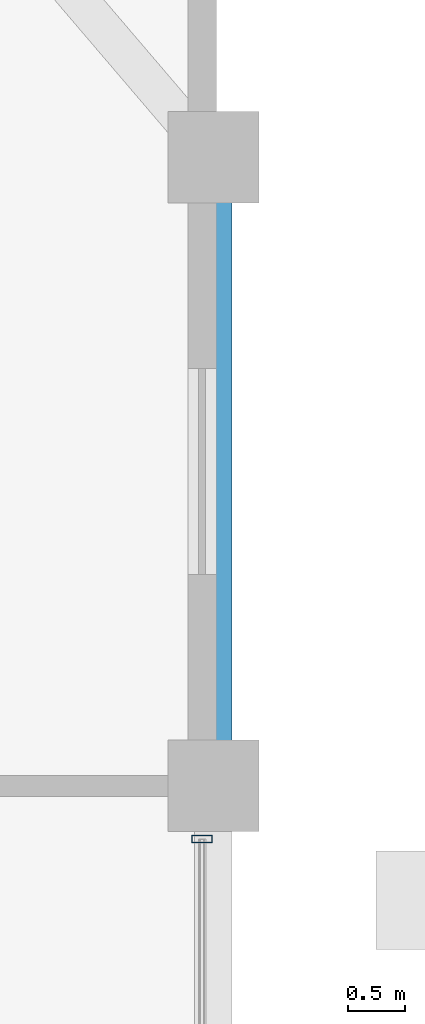
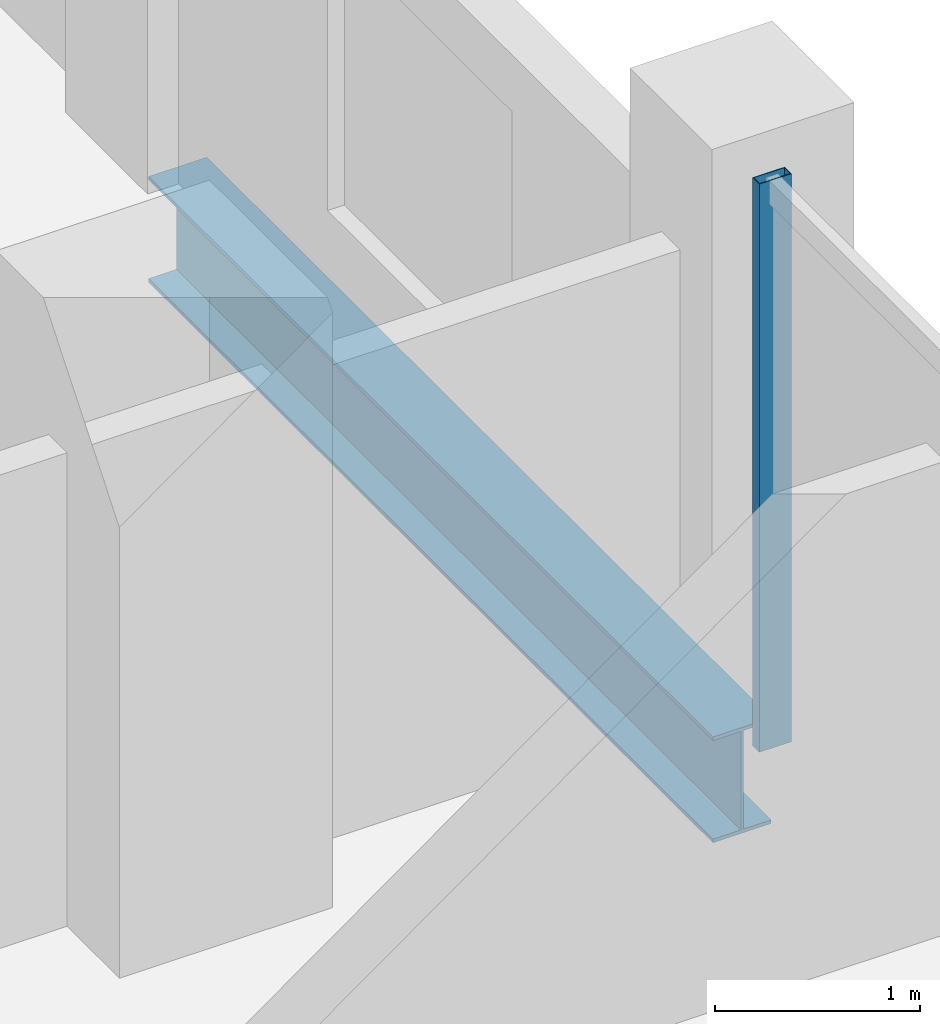
# One storey, part 12 of 20: 1 beam, 1 member, 1 element without a shape of its own.
"""IFC4 building model written with IfcOpenShell, lengths in metres."""

from ifc_helpers import new_model, si_unit, direction, frame, origin, origin_2d, place, context, subcontext, project, spatial, hollow_rectangle, i_section, extrude, material, layer, layer_set, material_profile, profile_set, type_object, element, aggregate, save


model = new_model("IFC4")

# Units and contexts
model_context = context("Model", 3, precision=1e-05, world=origin(), true_north=direction((0.0, 1.0)))
body_context = subcontext(model_context, "Body", "Model", "MODEL_VIEW")
ifc_project = project(units=[si_unit("LENGTHUNIT", "METRE"), si_unit("AREAUNIT", "SQUARE_METRE"), si_unit("VOLUMEUNIT", "CUBIC_METRE"), si_unit("PLANEANGLEUNIT", "RADIAN"), si_unit("MASSUNIT", "GRAM", prefix="KILO")], contexts=[model_context])

# Site, building, storey
site_placement = place(None, origin())
site = spatial("IfcSite", under=ifc_project, at=site_placement, CompositionType="ELEMENT")
building_placement = place(site_placement, origin())
building = spatial("IfcBuilding", under=site, at=building_placement, Name="Barlavira Tower and Art Museum", CompositionType="ELEMENT")
storey_placement = place(building_placement, frame((0.0, 0.0, 136.800048828125)))
storey = spatial("IfcBuildingStorey", under=building, at=storey_placement, Name="L34", CompositionType="ELEMENT", Elevation=136.800048828125)

# Curtain wall, member
ifc_material_1 = material(Name="Low-iron coastal laminated glass", Category="glass")
ifc_layer = layer(ifc_material_1, 0.18994140625, Name="Low-iron coastal laminated glass")
ifc_layer_set = layer_set([ifc_layer], Name="Low-iron coastal laminated glass")
curtain_wall_type = type_object("IfcCurtainWallType", Name="Pale-Metal Unitised Curtain Wall Zone 2", PredefinedType="NOTDEFINED", material=ifc_layer_set)
curtain_wall_placement = place(storey_placement, origin())
curtain_wall = element("IfcCurtainWall", 1, at=curtain_wall_placement, inside=storey, type_object=curtain_wall_type, Name="L34 Curtain Wall CW2-L34-E-B3", PredefinedType="NOTDEFINED")
ifc_material_2 = material(Name="Pale anodised aluminium", Category="aluminium")
ifc_material_profile_1 = material_profile(ifc_material_2, hollow_rectangle(XDim=0.06494140625, YDim=0.179931640625, WallThickness=0.00390625, at=origin_2d()), Name="ALU-MULL 65x180x4")
ifc_profile_set_1 = profile_set([ifc_material_profile_1], Name="Pale anodised aluminium")
member_type = type_object("IfcMemberType", Name="Curtain Wall Pale-Metal Mullion 65x180", PredefinedType="MULLION", material=ifc_profile_set_1)
member_placement = place(storey_placement, frame((20.14990234375, 7.034912109375, 0.0), z_axis=(0.0, 0.0, 1.0), x_axis=(0.0, 1.0, 0.0)))
member = element("IfcMember", 2, at=member_placement, type_object=member_type, Name="CW2-L34-E-B3 Mullion 3", PredefinedType="MULLION", context=body_context, shape_type="SweptSolid", body=[
    extrude(hollow_rectangle(XDim=0.06494140625, YDim=0.179931640625, WallThickness=0.00390625, at=origin_2d()), origin(), (0.0, 0.0, 1.0), 3.3798828125),
])
aggregate(curtain_wall, [member])

# Beam
ifc_material_3 = material(Name="Steel S355", Category="steel")
ifc_material_profile_2 = material_profile(ifc_material_3, i_section(OverallWidth=0.327880859375, OverallDepth=0.62890625, WebThickness=0.013916015625, FlangeThickness=0.021484375, at=origin_2d()), Name="W610x174.0")
ifc_profile_set_2 = profile_set([ifc_material_profile_2], Name="Steel S355")
beam_type = type_object("IfcBeamType", Name="Perimeter Spandrel Edge Beam W610x174 Steel S355", PredefinedType="SPANDREL", material=ifc_profile_set_2)
beam_placement = place(storey_placement, frame((20.25, 7.5, -0.53466796875), z_axis=(0.0, 1.0, 0.0), x_axis=(-1.0, 0.0, 0.0)))
element("IfcBeam", 3, at=beam_placement, inside=storey, type_object=beam_type, Name="L34 Spandrel 7", PredefinedType="SPANDREL", context=body_context, shape_type="SweptSolid", body=[
    extrude(i_section(OverallWidth=0.327880859375, OverallDepth=0.62890625, WebThickness=0.013916015625, FlangeThickness=0.021484375, at=origin_2d()), origin(), (0.0, 0.0, 1.0), 5.5),
])

save(model, "model.ifc")
